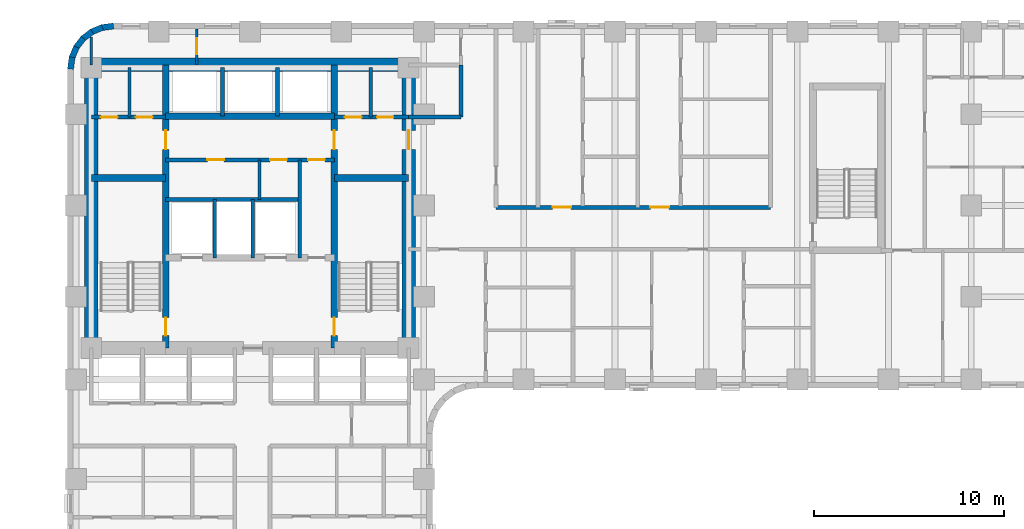
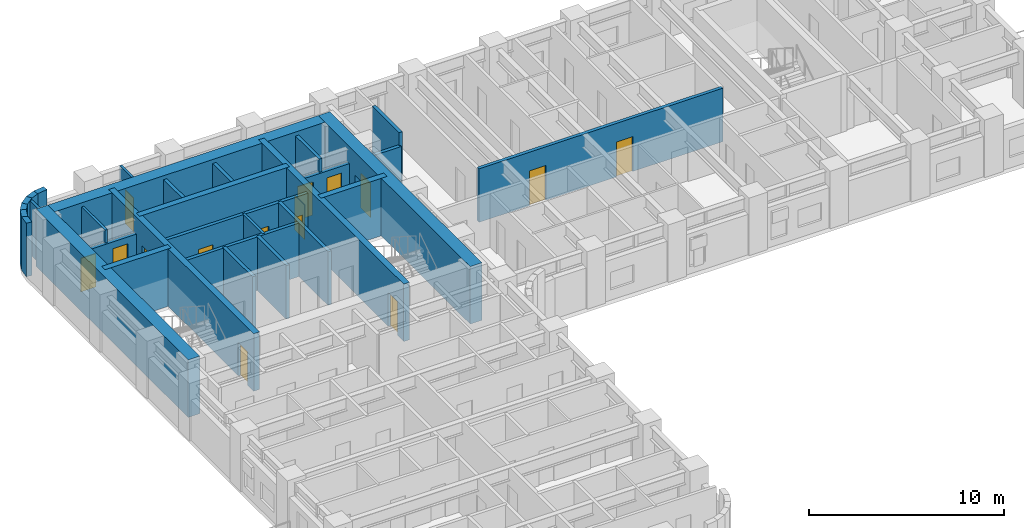
# One storey, part 6 of 10: 31 walls, 15 doors, 15 openings.
"""IFC4 building model written with IfcOpenShell, lengths in metres."""

from ifc_helpers import new_model, si_unit, direction, frame, frame_2d, origin, place, context, subcontext, project, spatial, rectangle, extrude, material, layer, layer_set, type_object, element, fill, save


model = new_model("IFC4")

# Units and contexts
model_context = context("Model", 3, precision=1e-05, world=origin(), true_north=direction((0.0, 1.0)))
body_context = subcontext(model_context, "Body", "Model", "MODEL_VIEW")
ifc_project = project(units=[si_unit("LENGTHUNIT", "METRE"), si_unit("AREAUNIT", "SQUARE_METRE"), si_unit("VOLUMEUNIT", "CUBIC_METRE"), si_unit("PLANEANGLEUNIT", "RADIAN"), si_unit("MASSUNIT", "GRAM", prefix="KILO")], contexts=[model_context])

# Site, building, storey
site_placement = place(None, origin())
site = spatial("IfcSite", under=ifc_project, at=site_placement, CompositionType="ELEMENT")
building_placement = place(site_placement, origin())
building = spatial("IfcBuilding", under=site, at=building_placement, Name="Orvandelia Arch Residences", CompositionType="ELEMENT")
storey_placement = place(building_placement, frame((0.0, 0.0, 28.60009765625)))
storey = spatial("IfcBuildingStorey", under=building, at=storey_placement, Name="L06", CompositionType="ELEMENT", Elevation=28.60009765625)

# Wall, openings, doors
ifc_material_1 = material(Name="Concrete C50/60", Category="concrete")
ifc_layer_1 = layer(ifc_material_1, 0.35009765625, Name="Concrete C50/60", Category="concrete")
ifc_layer_set_1 = layer_set([ifc_layer_1], Name="Concrete C50/60")
wall_type_1 = type_object("IfcWallType", Name="WL-CORE-350", PredefinedType="SHEAR", material=ifc_layer_set_1)
wall_1_placement = place(storey_placement, frame((9.9599609375, 30.89990234375, 0.0), z_axis=(0.0, 0.0, 1.0), x_axis=(0.0, 1.0, 0.0)))
wall_1 = element("IfcWall", 1, at=wall_1_placement, inside=storey, type_object=wall_type_1, Name="Core Shear Wall L06-WEB1", PredefinedType="SHEAR", context=body_context, shape_type="SweptSolid", body=[
    extrude(rectangle(XDim=14.900146484375, YDim=0.35009765625, at=frame_2d((7.4501953125, 0.0))), origin(), (0.0, 0.0, 1.0), 3.599853515625),
])
opening_1_placement = place(wall_1_placement, frame((0.64990234375, 0.0, 0.0)))
opening_1 = element("IfcOpeningElement", 2, at=opening_1_placement, cuts=wall_1, Name="Opening D7", PredefinedType="OPENING", context=body_context, shape_type="SweptSolid", body=[
    extrude(rectangle(XDim=0.949951171875, YDim=2.10009765625, at=frame_2d((0.47509765625, 1.050048828125))), frame((0.0, 0.18505859375, 0.0), z_axis=(0.0, -1.0, 0.0), x_axis=(1.0, 0.0, 0.0)), (0.0, 0.0, 1.0), 0.3701171875),
])
opening_2_placement = place(wall_1_placement, frame((10.449951171875, 0.0, 0.0)))
opening_2 = element("IfcOpeningElement", 3, at=opening_2_placement, cuts=wall_1, Name="Opening D6", PredefinedType="OPENING", context=body_context, shape_type="SweptSolid", body=[
    extrude(rectangle(XDim=1.0, YDim=2.14990234375, at=frame_2d((0.5, 1.074951171875))), frame((0.0, 0.18505859375, 0.0), z_axis=(0.0, -1.0, 0.0), x_axis=(1.0, 0.0, 0.0)), (0.0, 0.0, 1.0), 0.3701171875),
])
ifc_material_2 = material(Name="Smokeproof Painted Steel Fire Door", Category="steel")
door_type_1 = type_object("IfcDoorType", Name="DR-FD60-1000", OperationType="NOTDEFINED", PredefinedType="DOOR", material=ifc_material_2)
door_1_placement = place(opening_2_placement, origin())
door_1 = element("IfcDoor", 4, at=door_1_placement, inside=storey, type_object=door_type_1, Name="High-Rise Lift Hall West Vestibule Door L06", OperationType="SINGLE_SWING_LEFT", OverallHeight=2.14990234375, OverallWidth=1.0, PredefinedType="DOOR", context=body_context, shape_type="SweptSolid", body=[
    extrude(rectangle(XDim=1.0, YDim=2.14990234375, at=frame_2d((0.5, 1.074951171875))), frame((0.0, 0.02490234375, 0.0), z_axis=(0.0, -1.0, 0.0), x_axis=(1.0, 0.0, 0.0)), (0.0, 0.0, 1.0), 0.050048828125),
])
fill(opening_2, door_1)
ifc_material_3 = material(Name="Pressurised Stairwell Fire Door")
door_type_2 = type_object("IfcDoorType", Name="DR-STAIR-950", OperationType="NOTDEFINED", PredefinedType="DOOR", material=ifc_material_3)
door_2_placement = place(opening_1_placement, origin())
door_2 = element("IfcDoor", 5, at=door_2_placement, inside=storey, type_object=door_type_2, Name="Stairwell ST-1 Fire Door L06", OperationType="SINGLE_SWING_LEFT", OverallHeight=2.10009765625, OverallWidth=0.949951171875, PredefinedType="DOOR", context=body_context, shape_type="SweptSolid", body=[
    extrude(rectangle(XDim=0.949951171875, YDim=2.10009765625, at=frame_2d((0.47509765625, 1.050048828125))), frame((0.0, 0.02490234375, 0.0), z_axis=(0.0, -1.0, 0.0), x_axis=(1.0, 0.0, 0.0)), (0.0, 0.0, 1.0), 0.050048828125),
])
fill(opening_1, door_2)

wall_2_placement = place(storey_placement, frame((18.840087890625, 30.89990234375, 0.0), z_axis=(0.0, 0.0, 1.0), x_axis=(0.0, 1.0, 0.0)))
wall_2 = element("IfcWall", 6, at=wall_2_placement, inside=storey, type_object=wall_type_1, Name="Core Shear Wall L06-WEB2", PredefinedType="SHEAR", context=body_context, shape_type="SweptSolid", body=[
    extrude(rectangle(XDim=14.900146484375, YDim=0.35009765625, at=frame_2d((7.4501953125, 0.0))), origin(), (0.0, 0.0, 1.0), 3.599853515625),
])
opening_3_placement = place(wall_2_placement, frame((0.64990234375, 0.0, 0.0)))
opening_3 = element("IfcOpeningElement", 7, at=opening_3_placement, cuts=wall_2, Name="Opening D7", PredefinedType="OPENING", context=body_context, shape_type="SweptSolid", body=[
    extrude(rectangle(XDim=0.949951171875, YDim=2.10009765625, at=frame_2d((0.47509765625, 1.050048828125))), frame((0.0, 0.18505859375, 0.0), z_axis=(0.0, -1.0, 0.0), x_axis=(1.0, 0.0, 0.0)), (0.0, 0.0, 1.0), 0.3701171875),
])
opening_4_placement = place(wall_2_placement, frame((10.449951171875, 0.0, 0.0)))
opening_4 = element("IfcOpeningElement", 8, at=opening_4_placement, cuts=wall_2, Name="Opening D6", PredefinedType="OPENING", context=body_context, shape_type="SweptSolid", body=[
    extrude(rectangle(XDim=1.0, YDim=2.14990234375, at=frame_2d((0.5, 1.074951171875))), frame((0.0, 0.18505859375, 0.0), z_axis=(0.0, -1.0, 0.0), x_axis=(1.0, 0.0, 0.0)), (0.0, 0.0, 1.0), 0.3701171875),
])
door_3_placement = place(opening_4_placement, origin())
door_3 = element("IfcDoor", 9, at=door_3_placement, inside=storey, type_object=door_type_1, Name="High-Rise Lift Hall East Vestibule Door L06", OperationType="SINGLE_SWING_RIGHT", OverallHeight=2.14990234375, OverallWidth=1.0, PredefinedType="DOOR", context=body_context, shape_type="SweptSolid", body=[
    extrude(rectangle(XDim=1.0, YDim=2.14990234375, at=frame_2d((0.5, 1.074951171875))), frame((0.0, 0.02490234375, 0.0), z_axis=(0.0, -1.0, 0.0), x_axis=(1.0, 0.0, 0.0)), (0.0, 0.0, 1.0), 0.050048828125),
])
fill(opening_4, door_3)
door_4_placement = place(opening_3_placement, origin())
door_4 = element("IfcDoor", 10, at=door_4_placement, inside=storey, type_object=door_type_2, Name="Stairwell ST-2 Fire Door L06", OperationType="SINGLE_SWING_RIGHT", OverallHeight=2.10009765625, OverallWidth=0.949951171875, PredefinedType="DOOR", context=body_context, shape_type="SweptSolid", body=[
    extrude(rectangle(XDim=0.949951171875, YDim=2.10009765625, at=frame_2d((0.47509765625, 1.050048828125))), frame((0.0, 0.02490234375, 0.0), z_axis=(0.0, -1.0, 0.0), x_axis=(1.0, 0.0, 0.0)), (0.0, 0.0, 1.0), 0.050048828125),
])
fill(opening_3, door_4)

# Walls
for number, where, z_axis, x_axis, name in (
    (11, (6.050048828125, 39.85009765625, 0.0), (0.0, 0.0, 1.0), (1.0, 0.0, 0.0), "Core Shear Wall L06-HZ1"),
    (12, (18.840087890625, 39.85009765625, 0.0), (0.0, 0.0, 1.0), (1.0, 0.0, 0.0), "Core Shear Wall L06-HZ2"),
):
    element("IfcWall", number, at=place(storey_placement, frame(where, z_axis=z_axis, x_axis=x_axis)), inside=storey, type_object=wall_type_1, Name=name, PredefinedType="SHEAR", context=body_context, shape_type="SweptSolid", body=[
        extrude(rectangle(XDim=3.909912109375, YDim=0.35009765625, at=frame_2d((1.955078125, 0.0))), origin(), (0.0, 0.0, 1.0), 3.599853515625),
    ])
wall_3_placement = place(storey_placement, frame((9.9599609375, 43.10009765625, 0.0), z_axis=(0.0, 0.0, 1.0), x_axis=(1.0, 0.0, 0.0)))
element("IfcWall", 13, at=wall_3_placement, inside=storey, type_object=wall_type_1, Name="Core Shear Wall L06-HZ4", PredefinedType="SHEAR", context=body_context, shape_type="SweptSolid", body=[
    extrude(rectangle(XDim=8.880126953125, YDim=0.35009765625, at=frame_2d((4.43994140625, 0.0))), origin(), (0.0, 0.0, 1.0), 3.599853515625),
])
ifc_material_4 = material(Name="Concrete C80/95", Category="concrete")
ifc_layer_2 = layer(ifc_material_4, 0.699951171875, Name="Concrete C80/95", Category="concrete")
ifc_layer_set_2 = layer_set([ifc_layer_2], Name="Concrete C80/95")
wall_type_2 = type_object("IfcWallType", Name="WL-CORE-700", PredefinedType="SHEAR", material=ifc_layer_set_2)
wall_4_placement = place(storey_placement, frame((6.050048828125, 30.550048828125, 0.0), z_axis=(0.0, 0.0, 1.0), x_axis=(0.0, 1.0, 0.0)))
element("IfcWall", 14, at=wall_4_placement, inside=storey, type_object=wall_type_2, Name="Core Shear Wall L06-W", PredefinedType="SHEAR", context=body_context, shape_type="SweptSolid", body=[
    extrude(rectangle(XDim=15.599853515625, YDim=0.699951171875, at=frame_2d((7.7998046875, 0.0))), origin(), (0.0, 0.0, 1.0), 3.599853515625),
])

# Wall, opening, door
wall_5_placement = place(storey_placement, frame((22.75, 30.550048828125, 0.0), z_axis=(0.0, 0.0, 1.0), x_axis=(0.0, 1.0, 0.0)))
wall_5 = element("IfcWall", 15, at=wall_5_placement, inside=storey, type_object=wall_type_2, Name="Core Shear Wall L06-E", PredefinedType="SHEAR", context=body_context, shape_type="SweptSolid", body=[
    extrude(rectangle(XDim=15.599853515625, YDim=0.699951171875, at=frame_2d((7.7998046875, 0.0))), origin(), (0.0, 0.0, 1.0), 3.599853515625),
])
opening_5_placement = place(wall_5_placement, frame((10.800048828125, 0.0, 0.0)))
opening_5 = element("IfcOpeningElement", 16, at=opening_5_placement, cuts=wall_5, Name="Opening D6", PredefinedType="OPENING", context=body_context, shape_type="SweptSolid", body=[
    extrude(rectangle(XDim=1.0, YDim=2.14990234375, at=frame_2d((0.5, 1.074951171875))), frame((0.0, 0.35986328125, 0.0), z_axis=(0.0, -1.0, 0.0), x_axis=(1.0, 0.0, 0.0)), (0.0, 0.0, 1.0), 0.719970703125),
])
door_5_placement = place(opening_5_placement, origin())
door_5 = element("IfcDoor", 17, at=door_5_placement, inside=storey, type_object=door_type_1, Name="Core East Corridor Link Door L06", OperationType="SINGLE_SWING_LEFT", OverallHeight=2.14990234375, OverallWidth=1.0, PredefinedType="DOOR", context=body_context, shape_type="SweptSolid", body=[
    extrude(rectangle(XDim=1.0, YDim=2.14990234375, at=frame_2d((0.5, 1.074951171875))), frame((0.0, 0.02490234375, 0.0), z_axis=(0.0, -1.0, 0.0), x_axis=(1.0, 0.0, 0.0)), (0.0, 0.0, 1.0), 0.050048828125),
])
fill(opening_5, door_5)

# Wall
wall_6_placement = place(storey_placement, frame((6.050048828125, 45.800048828125, 0.0), z_axis=(0.0, 0.0, 1.0), x_axis=(1.0, 0.0, 0.0)))
element("IfcWall", 18, at=wall_6_placement, inside=storey, type_object=wall_type_2, Name="Core Shear Wall L06-N", PredefinedType="SHEAR", context=body_context, shape_type="SweptSolid", body=[
    extrude(rectangle(XDim=16.699951171875, YDim=0.699951171875, at=frame_2d((8.35009765625, 0.0))), origin(), (0.0, 0.0, 1.0), 3.599853515625),
])

# Wall, openings, doors
ifc_material_5 = material(Name="Fire-Rated Corridor Partition")
ifc_layer_3 = layer(ifc_material_5, 0.199951171875, Name="Fire-Rated Corridor Partition")
ifc_layer_set_3 = layer_set([ifc_layer_3], Name="Fire-Rated Corridor Partition")
wall_type_3 = type_object("IfcWallType", Name="WL-CORR-200", PredefinedType="PARTITIONING", material=ifc_layer_set_3)
wall_7_placement = place(storey_placement, frame((27.35009765625, 38.300048828125, 0.0), z_axis=(0.0, 0.0, 1.0), x_axis=(1.0, 0.0, 0.0)))
wall_7 = element("IfcWall", 19, at=wall_7_placement, inside=storey, type_object=wall_type_3, Name="Interior Partition Wall WL-L06-EM-N", PredefinedType="PARTITIONING", context=body_context, shape_type="SweptSolid", body=[
    extrude(rectangle(XDim=14.429931640625, YDim=0.199951171875, at=frame_2d((7.21484375, 0.0))), origin(), (0.0, 0.0, 1.0), 3.349853515625),
])
opening_6_placement = place(wall_7_placement, frame((2.969970703125, 0.0, 0.0)))
opening_6 = element("IfcOpeningElement", 20, at=opening_6_placement, cuts=wall_7, Name="Opening D1", PredefinedType="OPENING", context=body_context, shape_type="SweptSolid", body=[
    extrude(rectangle(XDim=0.97998046875, YDim=2.179931640625, at=frame_2d((0.489990234375, 1.08984375))), frame((0.0, 0.10986328125, 0.0), z_axis=(0.0, -1.0, 0.0), x_axis=(1.0, 0.0, 0.0)), (0.0, 0.0, 1.0), 0.219970703125),
])
opening_7_placement = place(wall_7_placement, frame((8.1201171875, 0.0, 0.0)))
opening_7 = element("IfcOpeningElement", 21, at=opening_7_placement, cuts=wall_7, Name="Opening D1", PredefinedType="OPENING", context=body_context, shape_type="SweptSolid", body=[
    extrude(rectangle(XDim=0.97998046875, YDim=2.179931640625, at=frame_2d((0.489990234375, 1.08984375))), frame((0.0, 0.10986328125, 0.0), z_axis=(0.0, -1.0, 0.0), x_axis=(1.0, 0.0, 0.0)), (0.0, 0.0, 1.0), 0.219970703125),
])
ifc_material_6 = material(Name="Solid-Core Timber Acoustic Fire Door", Category="wood")
door_type_3 = type_object("IfcDoorType", Name="DR-ENT-980", OperationType="NOTDEFINED", PredefinedType="DOOR", material=ifc_material_6)
door_6_placement = place(opening_6_placement, origin())
door_6 = element("IfcDoor", 22, at=door_6_placement, inside=storey, type_object=door_type_3, Name="Unit L06-09 Entrance Door", OperationType="SINGLE_SWING_LEFT", OverallHeight=2.179931640625, OverallWidth=0.97998046875, PredefinedType="DOOR", context=body_context, shape_type="SweptSolid", body=[
    extrude(rectangle(XDim=0.97998046875, YDim=2.179931640625, at=frame_2d((0.489990234375, 1.08984375))), frame((0.0, 0.02490234375, 0.0), z_axis=(0.0, -1.0, 0.0), x_axis=(1.0, 0.0, 0.0)), (0.0, 0.0, 1.0), 0.050048828125),
])
fill(opening_6, door_6)
door_7_placement = place(opening_7_placement, origin())
door_7 = element("IfcDoor", 23, at=door_7_placement, inside=storey, type_object=door_type_3, Name="Unit L06-10 Entrance Door", OperationType="SINGLE_SWING_RIGHT", OverallHeight=2.179931640625, OverallWidth=0.97998046875, PredefinedType="DOOR", context=body_context, shape_type="SweptSolid", body=[
    extrude(rectangle(XDim=0.97998046875, YDim=2.179931640625, at=frame_2d((0.489990234375, 1.08984375))), frame((0.0, 0.02490234375, 0.0), z_axis=(0.0, -1.0, 0.0), x_axis=(1.0, 0.0, 0.0)), (0.0, 0.0, 1.0), 0.050048828125),
])
fill(opening_7, door_7)

# Walls
wall_8_placement = place(storey_placement, frame((22.75, 43.050048828125, 0.0), z_axis=(0.0, 0.0, 1.0), x_axis=(1.0, 0.0, 0.0)))
element("IfcWall", 24, at=wall_8_placement, inside=storey, type_object=wall_type_3, Name="Interior Partition Wall WL-L06-EM-LS", PredefinedType="PARTITIONING", context=body_context, shape_type="SweptSolid", body=[
    extrude(rectangle(XDim=2.75, YDim=0.199951171875, at=frame_2d((1.375, 0.0))), origin(), (0.0, 0.0, 1.0), 2.52978515625),
])
wall_9_placement = place(storey_placement, frame((25.5, 43.050048828125, 0.0), z_axis=(0.0, 0.0, 1.0), x_axis=(0.0, 1.0, 0.0)))
element("IfcWall", 25, at=wall_9_placement, inside=storey, type_object=wall_type_3, Name="Interior Partition Wall WL-L06-EM-LW2", PredefinedType="PARTITIONING", context=body_context, shape_type="SweptSolid", body=[
    extrude(rectangle(XDim=2.75, YDim=0.199951171875, at=frame_2d((1.375, 0.0))), origin(), (0.0, 0.0, 1.0), 3.349853515625),
])
ifc_material_7 = material(Name="Precast concrete C40/50", Category="concrete")
ifc_layer_4 = layer(ifc_material_7, 0.320068359375, Name="Precast concrete C40/50", Category="concrete")
ifc_layer_set_4 = layer_set([ifc_layer_4], Name="Precast concrete C40/50")
wall_type_4 = type_object("IfcWallType", Name="WL-EXT-STONE-320", PredefinedType="STANDARD", material=ifc_layer_set_4)
for number, where, z_axis, x_axis, name in (
    (26, (4.95849609375, 45.5791015625, 0.0), (0.0, 0.0, 1.0), (0.130555323746, 0.9914410257, 0.0), "Coral-Limestone Precast Facade Wall L06-001"),
    (27, (5.029541015625, 46.159912109375, 0.0), (0.0, 0.0, 1.0), (0.382650053678, 0.92389335771, 0.0), "Coral-Limestone Precast Facade Wall L06-002"),
):
    element("IfcWall", number, at=place(storey_placement, frame(where, z_axis=z_axis, x_axis=x_axis)), inside=storey, type_object=wall_type_4, Name=name, PredefinedType="STANDARD", context=body_context, shape_type="SweptSolid", body=[
        extrude(rectangle(XDim=0.62646484375, YDim=0.320068359375, at=frame_2d((0.313232421875, 0.0))), origin(), (0.0, 0.0, 1.0), 3.349853515625),
    ])
wall_10_placement = place(storey_placement, frame((5.248291015625, 46.70263671875, 0.0), z_axis=(0.0, 0.0, 1.0), x_axis=(0.608938521285, 0.7932174212, 0.0)))
element("IfcWall", 28, at=wall_10_placement, inside=storey, type_object=wall_type_4, Name="Coral-Limestone Precast Facade Wall L06-003", PredefinedType="STANDARD", context=body_context, shape_type="SweptSolid", body=[
    extrude(rectangle(XDim=0.626708984375, YDim=0.320068359375, at=frame_2d((0.3134765625, 0.0))), origin(), (0.0, 0.0, 1.0), 3.349853515625),
])
wall_11_placement = place(storey_placement, frame((5.600341796875, 47.170166015625, 0.0), z_axis=(0.0, 0.0, 1.0), x_axis=(0.793405610854, 0.608693302629, 0.0)))
element("IfcWall", 29, at=wall_11_placement, inside=storey, type_object=wall_type_4, Name="Coral-Limestone Precast Facade Wall L06-004", PredefinedType="STANDARD", context=body_context, shape_type="SweptSolid", body=[
    extrude(rectangle(XDim=0.62646484375, YDim=0.320068359375, at=frame_2d((0.313232421875, 0.0))), origin(), (0.0, 0.0, 1.0), 3.349853515625),
])
wall_12_placement = place(storey_placement, frame((6.061279296875, 47.53076171875, 0.0), z_axis=(0.0, 0.0, 1.0), x_axis=(0.923836271867, 0.382787856107, 0.0)))
element("IfcWall", 30, at=wall_12_placement, inside=storey, type_object=wall_type_4, Name="Coral-Limestone Precast Facade Wall L06-005", PredefinedType="STANDARD", context=body_context, shape_type="SweptSolid", body=[
    extrude(rectangle(XDim=0.626220703125, YDim=0.320068359375, at=frame_2d((0.31298828125, 0.0))), origin(), (0.0, 0.0, 1.0), 3.349853515625),
])
wall_13_placement = place(storey_placement, frame((6.599609375, 47.759521484375, 0.0), z_axis=(0.0, 0.0, 1.0), x_axis=(0.991447664465, 0.130504898859, 0.0)))
element("IfcWall", 31, at=wall_13_placement, inside=storey, type_object=wall_type_4, Name="Coral-Limestone Precast Facade Wall L06-006", PredefinedType="STANDARD", context=body_context, shape_type="SweptSolid", body=[
    extrude(rectangle(XDim=0.626708984375, YDim=0.320068359375, at=frame_2d((0.3134765625, 0.0))), origin(), (0.0, 0.0, 1.0), 3.349853515625),
])
ifc_material_8 = material(Name="Acoustic Gypsum Stud Partition")
ifc_layer_5 = layer(ifc_material_8, 0.14990234375, Name="Acoustic Gypsum Stud Partition")
ifc_layer_set_5 = layer_set([ifc_layer_5], Name="Acoustic Gypsum Stud Partition")
wall_type_5 = type_object("IfcWallType", Name="WL-PART-150", PredefinedType="PARTITIONING", material=ifc_layer_set_5)
wall_14_placement = place(storey_placement, frame((8.06005859375, 43.050048828125, 0.0), z_axis=(0.0, 0.0, 1.0), x_axis=(0.0, 1.0, 0.0)))
element("IfcWall", 32, at=wall_14_placement, inside=storey, type_object=wall_type_5, Name="Interior Partition Wall WL-L06-CRELC-M", PredefinedType="PARTITIONING", context=body_context, shape_type="SweptSolid", body=[
    extrude(rectangle(XDim=2.599853515625, YDim=0.14990234375, at=frame_2d((1.2998046875, 0.0))), origin(), (0.0, 0.0, 1.0), 3.349853515625),
])
wall_15_placement = place(storey_placement, frame((14.89990234375, 38.719970703125, 0.0), z_axis=(0.0, 0.0, 1.0), x_axis=(0.0, 1.0, 0.0)))
element("IfcWall", 33, at=wall_15_placement, inside=storey, type_object=wall_type_5, Name="Interior Partition Wall WL-L06-CSA-1", PredefinedType="PARTITIONING", context=body_context, shape_type="SweptSolid", body=[
    extrude(rectangle(XDim=2.080078125, YDim=0.14990234375, at=frame_2d((1.0400390625, 0.0))), origin(), (0.0, 0.0, 1.0), 3.349853515625),
])
wall_16_placement = place(storey_placement, frame((6.050048828125, 45.800048828125, 0.0), z_axis=(0.0, 0.0, 1.0), x_axis=(0.0, 1.0, 0.0)))
element("IfcWall", 34, at=wall_16_placement, inside=storey, type_object=wall_type_5, Name="Interior Partition Wall WL-L06-NC-W6", PredefinedType="PARTITIONING", context=body_context, shape_type="SweptSolid", body=[
    extrude(rectangle(XDim=1.4599609375, YDim=0.14990234375, at=frame_2d((0.72998046875, 0.0))), origin(), (0.0, 0.0, 1.0), 3.349853515625),
])

# Wall, opening, door
wall_17_placement = place(storey_placement, frame((11.60009765625, 45.800048828125, 0.0), z_axis=(0.0, 0.0, 1.0), x_axis=(0.0, 1.0, 0.0)))
wall_17 = element("IfcWall", 35, at=wall_17_placement, inside=storey, type_object=wall_type_5, Name="Interior Partition Wall WL-L06-NC-M", PredefinedType="PARTITIONING", context=body_context, shape_type="SweptSolid", body=[
    extrude(rectangle(XDim=1.8798828125, YDim=0.14990234375, at=frame_2d((0.93994140625, 0.0))), origin(), (0.0, 0.0, 1.0), 3.349853515625),
])
opening_8_placement = place(wall_17_placement, frame((0.550048828125, 0.0, 0.0)))
opening_8 = element("IfcOpeningElement", 36, at=opening_8_placement, cuts=wall_17, Name="Opening D4", PredefinedType="OPENING", context=body_context, shape_type="SweptSolid", body=[
    extrude(rectangle(XDim=0.860107421875, YDim=2.10009765625, at=frame_2d((0.43017578125, 1.050048828125))), frame((0.0, 0.0849609375, 0.0), z_axis=(0.0, -1.0, 0.0), x_axis=(1.0, 0.0, 0.0)), (0.0, 0.0, 1.0), 0.169921875),
])
ifc_material_9 = material(Name="Moisture-Sealed Timber Bathroom Door", Category="wood")
door_type_4 = type_object("IfcDoorType", Name="DR-WET-900", OperationType="NOTDEFINED", PredefinedType="DOOR", material=ifc_material_9)
door_8_placement = place(opening_8_placement, origin())
door_8 = element("IfcDoor", 37, at=door_8_placement, inside=storey, type_object=door_type_4, Name="DR-L06-NCS1", OperationType="SINGLE_SWING_LEFT", OverallHeight=2.10009765625, OverallWidth=0.860107421875, PredefinedType="DOOR", context=body_context, shape_type="SweptSolid", body=[
    extrude(rectangle(XDim=0.860107421875, YDim=2.10009765625, at=frame_2d((0.43017578125, 1.050048828125))), frame((0.0, 0.02490234375, 0.0), z_axis=(0.0, -1.0, 0.0), x_axis=(1.0, 0.0, 0.0)), (0.0, 0.0, 1.0), 0.050048828125),
])
fill(opening_8, door_8)

# Walls
ifc_material_10 = material(Name="Fire-Rated Shaft Enclosure Wall")
ifc_layer_6 = layer(ifc_material_10, 0.199951171875, Name="Fire-Rated Shaft Enclosure Wall")
ifc_layer_set_6 = layer_set([ifc_layer_6], Name="Fire-Rated Shaft Enclosure Wall")
wall_type_6 = type_object("IfcWallType", Name="WL-SHAFT-200", PredefinedType="POLYGONAL", material=ifc_layer_set_6)
wall_18_placement = place(storey_placement, frame((9.9599609375, 38.719970703125, 0.0), z_axis=(0.0, 0.0, 1.0), x_axis=(1.0, 0.0, 0.0)))
element("IfcWall", 38, at=wall_18_placement, inside=storey, type_object=wall_type_6, Name="Interior Partition Wall WL-L06-FLN", PredefinedType="POLYGONAL", context=body_context, shape_type="SweptSolid", body=[
    extrude(rectangle(XDim=7.06005859375, YDim=0.199951171875, at=frame_2d((3.530029296875, 0.0))), origin(), (0.0, 0.0, 1.0), 3.349853515625),
])
for number, where, z_axis, x_axis, name in (
    (39, (12.550048828125, 35.64990234375, 0.0), (0.0, 0.0, 1.0), (0.0, 1.0, 0.0), "Interior Partition Wall WL-L06-FLM1"),
    (40, (14.550048828125, 35.64990234375, 0.0), (0.0, 0.0, 1.0), (0.0, 1.0, 0.0), "Interior Partition Wall WL-L06-FLM2"),
):
    element("IfcWall", number, at=place(storey_placement, frame(where, z_axis=z_axis, x_axis=x_axis)), inside=storey, type_object=wall_type_6, Name=name, PredefinedType="POLYGONAL", context=body_context, shape_type="SweptSolid", body=[
        extrude(rectangle(XDim=3.070068359375, YDim=0.199951171875, at=frame_2d((1.53515625, 0.0))), origin(), (0.0, 0.0, 1.0), 3.349853515625),
    ])
wall_19_placement = place(storey_placement, frame((17.02001953125, 35.64990234375, 0.0), z_axis=(0.0, 0.0, 1.0), x_axis=(0.0, 1.0, 0.0)))
element("IfcWall", 41, at=wall_19_placement, inside=storey, type_object=wall_type_6, Name="Interior Partition Wall WL-L06-FLM3", PredefinedType="POLYGONAL", context=body_context, shape_type="SweptSolid", body=[
    extrude(rectangle(XDim=5.150146484375, YDim=0.199951171875, at=frame_2d((2.5751953125, 0.0))), origin(), (0.0, 0.0, 1.0), 3.349853515625),
])

# Wall, openings, doors
wall_20_placement = place(storey_placement, frame((9.9599609375, 40.800048828125, 0.0), z_axis=(0.0, 0.0, 1.0), x_axis=(1.0, 0.0, 0.0)))
wall_20 = element("IfcWall", 42, at=wall_20_placement, inside=storey, type_object=wall_type_6, Name="Interior Partition Wall WL-L06-HLH-S", PredefinedType="POLYGONAL", context=body_context, shape_type="SweptSolid", body=[
    extrude(rectangle(XDim=8.880126953125, YDim=0.199951171875, at=frame_2d((4.43994140625, 0.0))), origin(), (0.0, 0.0, 1.0), 3.349853515625),
])
opening_9_placement = place(wall_20_placement, frame((7.5, 0.0, 0.0)))
opening_9 = element("IfcOpeningElement", 43, at=opening_9_placement, cuts=wall_20, Name="Opening D5", PredefinedType="OPENING", context=body_context, shape_type="SweptSolid", body=[
    extrude(rectangle(XDim=0.8798828125, YDim=2.10009765625, at=frame_2d((0.43994140625, 1.050048828125))), frame((0.0, 0.10986328125, 0.0), z_axis=(0.0, -1.0, 0.0), x_axis=(1.0, 0.0, 0.0)), (0.0, 0.0, 1.0), 0.219970703125),
])
opening_10_placement = place(wall_20_placement, frame((2.199951171875, 0.0, 0.0)))
opening_10 = element("IfcOpeningElement", 44, at=opening_10_placement, cuts=wall_20, Name="Opening D5", PredefinedType="OPENING", context=body_context, shape_type="SweptSolid", body=[
    extrude(rectangle(XDim=0.8798828125, YDim=2.10009765625, at=frame_2d((0.43994140625, 1.050048828125))), frame((0.0, 0.10986328125, 0.0), z_axis=(0.0, -1.0, 0.0), x_axis=(1.0, 0.0, 0.0)), (0.0, 0.0, 1.0), 0.219970703125),
])
opening_11_placement = place(wall_20_placement, frame((5.5, 0.0, 0.0)))
opening_11 = element("IfcOpeningElement", 45, at=opening_11_placement, cuts=wall_20, Name="Opening D5", PredefinedType="OPENING", context=body_context, shape_type="SweptSolid", body=[
    extrude(rectangle(XDim=0.8798828125, YDim=2.10009765625, at=frame_2d((0.43994140625, 1.050048828125))), frame((0.0, 0.10986328125, 0.0), z_axis=(0.0, -1.0, 0.0), x_axis=(1.0, 0.0, 0.0)), (0.0, 0.0, 1.0), 0.219970703125),
])
ifc_material_11 = material(Name="Painted Galvanised Steel Service Door", Category="steel")
door_type_5 = type_object("IfcDoorType", Name="DR-SRV-880", OperationType="NOTDEFINED", PredefinedType="DOOR", material=ifc_material_11)
door_9_placement = place(opening_9_placement, origin())
door_9 = element("IfcDoor", 46, at=door_9_placement, inside=storey, type_object=door_type_5, Name="Core Stairway Passage North Fire Door L06", OperationType="SINGLE_SWING_RIGHT", OverallHeight=2.10009765625, OverallWidth=0.8798828125, PredefinedType="DOOR", context=body_context, shape_type="SweptSolid", body=[
    extrude(rectangle(XDim=0.8798828125, YDim=2.10009765625, at=frame_2d((0.43994140625, 1.050048828125))), frame((0.0, 0.02490234375, 0.0), z_axis=(0.0, -1.0, 0.0), x_axis=(1.0, 0.0, 0.0)), (0.0, 0.0, 1.0), 0.050048828125),
])
fill(opening_9, door_9)
door_10_placement = place(opening_10_placement, origin())
door_10 = element("IfcDoor", 47, at=door_10_placement, inside=storey, type_object=door_type_5, Name="DR-L06-CSA1", OperationType="SINGLE_SWING_RIGHT", OverallHeight=2.10009765625, OverallWidth=0.8798828125, PredefinedType="DOOR", context=body_context, shape_type="SweptSolid", body=[
    extrude(rectangle(XDim=0.8798828125, YDim=2.10009765625, at=frame_2d((0.43994140625, 1.050048828125))), frame((0.0, 0.02490234375, 0.0), z_axis=(0.0, -1.0, 0.0), x_axis=(1.0, 0.0, 0.0)), (0.0, 0.0, 1.0), 0.050048828125),
])
fill(opening_10, door_10)
door_11_placement = place(opening_11_placement, origin())
door_11 = element("IfcDoor", 48, at=door_11_placement, inside=storey, type_object=door_type_5, Name="DR-L06-CSA2", OperationType="SINGLE_SWING_LEFT", OverallHeight=2.10009765625, OverallWidth=0.8798828125, PredefinedType="DOOR", context=body_context, shape_type="SweptSolid", body=[
    extrude(rectangle(XDim=0.8798828125, YDim=2.10009765625, at=frame_2d((0.43994140625, 1.050048828125))), frame((0.0, 0.02490234375, 0.0), z_axis=(0.0, -1.0, 0.0), x_axis=(1.0, 0.0, 0.0)), (0.0, 0.0, 1.0), 0.050048828125),
])
fill(opening_11, door_11)

wall_21_placement = place(storey_placement, frame((18.840087890625, 43.050048828125, 0.0), z_axis=(0.0, 0.0, 1.0), x_axis=(1.0, 0.0, 0.0)))
wall_21 = element("IfcWall", 49, at=wall_21_placement, inside=storey, type_object=wall_type_6, Name="Interior Partition Wall WL-L06-HLE-N", PredefinedType="POLYGONAL", context=body_context, shape_type="SweptSolid", body=[
    extrude(rectangle(XDim=3.909912109375, YDim=0.199951171875, at=frame_2d((1.955078125, 0.0))), origin(), (0.0, 0.0, 1.0), 2.52978515625),
])
opening_12_placement = place(wall_21_placement, frame((0.550048828125, 0.0, 0.0)))
opening_12 = element("IfcOpeningElement", 50, at=opening_12_placement, cuts=wall_21, Name="Opening D5", PredefinedType="OPENING", context=body_context, shape_type="SweptSolid", body=[
    extrude(rectangle(XDim=0.8798828125, YDim=2.10009765625, at=frame_2d((0.43994140625, 1.050048828125))), frame((0.0, 0.10986328125, 0.0), z_axis=(0.0, -1.0, 0.0), x_axis=(1.0, 0.0, 0.0)), (0.0, 0.0, 1.0), 0.219970703125),
])
opening_13_placement = place(wall_21_placement, frame((2.25, 0.0, 0.0)))
opening_13 = element("IfcOpeningElement", 51, at=opening_13_placement, cuts=wall_21, Name="Opening D4", PredefinedType="OPENING", context=body_context, shape_type="SweptSolid", body=[
    extrude(rectangle(XDim=0.860107421875, YDim=2.10009765625, at=frame_2d((0.43017578125, 1.050048828125))), frame((0.0, 0.10986328125, 0.0), z_axis=(0.0, -1.0, 0.0), x_axis=(1.0, 0.0, 0.0)), (0.0, 0.0, 1.0), 0.219970703125),
])
door_12_placement = place(opening_12_placement, origin())
door_12 = element("IfcDoor", 52, at=door_12_placement, inside=storey, type_object=door_type_5, Name="DR-L06-CSB1", OperationType="SINGLE_SWING_LEFT", OverallHeight=2.10009765625, OverallWidth=0.8798828125, PredefinedType="DOOR", context=body_context, shape_type="SweptSolid", body=[
    extrude(rectangle(XDim=0.8798828125, YDim=2.10009765625, at=frame_2d((0.43994140625, 1.050048828125))), frame((0.0, 0.02490234375, 0.0), z_axis=(0.0, -1.0, 0.0), x_axis=(1.0, 0.0, 0.0)), (0.0, 0.0, 1.0), 0.050048828125),
])
fill(opening_12, door_12)
door_13_placement = place(opening_13_placement, origin())
door_13 = element("IfcDoor", 53, at=door_13_placement, inside=storey, type_object=door_type_4, Name="DR-L06-CSB2", OperationType="SINGLE_SWING_LEFT", OverallHeight=2.10009765625, OverallWidth=0.860107421875, PredefinedType="DOOR", context=body_context, shape_type="SweptSolid", body=[
    extrude(rectangle(XDim=0.860107421875, YDim=2.10009765625, at=frame_2d((0.43017578125, 1.050048828125))), frame((0.0, 0.02490234375, 0.0), z_axis=(0.0, -1.0, 0.0), x_axis=(1.0, 0.0, 0.0)), (0.0, 0.0, 1.0), 0.050048828125),
])
fill(opening_13, door_13)

wall_22_placement = place(storey_placement, frame((6.050048828125, 43.050048828125, 0.0), z_axis=(0.0, 0.0, 1.0), x_axis=(1.0, 0.0, 0.0)))
wall_22 = element("IfcWall", 54, at=wall_22_placement, inside=storey, type_object=wall_type_6, Name="Interior Partition Wall WL-L06-HLW-N", PredefinedType="POLYGONAL", context=body_context, shape_type="SweptSolid", body=[
    extrude(rectangle(XDim=3.909912109375, YDim=0.199951171875, at=frame_2d((1.955078125, 0.0))), origin(), (0.0, 0.0, 1.0), 2.52978515625),
])
opening_14_placement = place(wall_22_placement, frame((0.5, 0.0, 0.0)))
opening_14 = element("IfcOpeningElement", 55, at=opening_14_placement, cuts=wall_22, Name="Opening D5", PredefinedType="OPENING", context=body_context, shape_type="SweptSolid", body=[
    extrude(rectangle(XDim=0.8798828125, YDim=2.10009765625, at=frame_2d((0.43994140625, 1.050048828125))), frame((0.0, 0.10986328125, 0.0), z_axis=(0.0, -1.0, 0.0), x_axis=(1.0, 0.0, 0.0)), (0.0, 0.0, 1.0), 0.219970703125),
])
opening_15_placement = place(wall_22_placement, frame((2.35009765625, 0.0, 0.0)))
opening_15 = element("IfcOpeningElement", 56, at=opening_15_placement, cuts=wall_22, Name="Opening D5", PredefinedType="OPENING", context=body_context, shape_type="SweptSolid", body=[
    extrude(rectangle(XDim=0.8798828125, YDim=2.10009765625, at=frame_2d((0.43994140625, 1.050048828125))), frame((0.0, 0.10986328125, 0.0), z_axis=(0.0, -1.0, 0.0), x_axis=(1.0, 0.0, 0.0)), (0.0, 0.0, 1.0), 0.219970703125),
])
door_14_placement = place(opening_14_placement, origin())
door_14 = element("IfcDoor", 57, at=door_14_placement, inside=storey, type_object=door_type_5, Name="DR-L06-CRELC1", OperationType="SINGLE_SWING_LEFT", OverallHeight=2.10009765625, OverallWidth=0.8798828125, PredefinedType="DOOR", context=body_context, shape_type="SweptSolid", body=[
    extrude(rectangle(XDim=0.8798828125, YDim=2.10009765625, at=frame_2d((0.43994140625, 1.050048828125))), frame((0.0, 0.02490234375, 0.0), z_axis=(0.0, -1.0, 0.0), x_axis=(1.0, 0.0, 0.0)), (0.0, 0.0, 1.0), 0.050048828125),
])
fill(opening_14, door_14)
door_15_placement = place(opening_15_placement, origin())
door_15 = element("IfcDoor", 58, at=door_15_placement, inside=storey, type_object=door_type_5, Name="DR-L06-CRELC2", OperationType="SINGLE_SWING_RIGHT", OverallHeight=2.10009765625, OverallWidth=0.8798828125, PredefinedType="DOOR", context=body_context, shape_type="SweptSolid", body=[
    extrude(rectangle(XDim=0.8798828125, YDim=2.10009765625, at=frame_2d((0.43994140625, 1.050048828125))), frame((0.0, 0.02490234375, 0.0), z_axis=(0.0, -1.0, 0.0), x_axis=(1.0, 0.0, 0.0)), (0.0, 0.0, 1.0), 0.050048828125),
])
fill(opening_15, door_15)

# Walls
for number, where, z_axis, x_axis, name in (
    (59, (12.949951171875, 43.10009765625, 0.0), (0.0, 0.0, 1.0), (0.0, 1.0, 0.0), "Interior Partition Wall WL-L06-PHD1"),
    (60, (15.85009765625, 43.10009765625, 0.0), (0.0, 0.0, 1.0), (0.0, 1.0, 0.0), "Interior Partition Wall WL-L06-PHD2"),
):
    element("IfcWall", number, at=place(storey_placement, frame(where, z_axis=z_axis, x_axis=x_axis)), inside=storey, type_object=wall_type_6, Name=name, PredefinedType="POLYGONAL", context=body_context, shape_type="SweptSolid", body=[
        extrude(rectangle(XDim=2.5498046875, YDim=0.199951171875, at=frame_2d((1.27490234375, 0.0))), origin(), (0.0, 0.0, 1.0), 3.349853515625),
    ])
ifc_material_12 = material(Name="Moisture-Resistant Plumbing Wall")
ifc_layer_7 = layer(ifc_material_12, 0.179931640625, Name="Moisture-Resistant Plumbing Wall")
ifc_layer_set_7 = layer_set([ifc_layer_7], Name="Moisture-Resistant Plumbing Wall")
wall_type_7 = type_object("IfcWallType", Name="WL-WET-180", PredefinedType="PLUMBINGWALL", material=ifc_layer_set_7)
wall_23_placement = place(storey_placement, frame((20.75, 43.050048828125, 0.0), z_axis=(0.0, 0.0, 1.0), x_axis=(0.0, 1.0, 0.0)))
element("IfcWall", 61, at=wall_23_placement, inside=storey, type_object=wall_type_7, Name="Interior Partition Wall WL-L06-CSB-1", PredefinedType="PLUMBINGWALL", context=body_context, shape_type="SweptSolid", body=[
    extrude(rectangle(XDim=2.599853515625, YDim=0.179931640625, at=frame_2d((1.2998046875, 0.0))), origin(), (0.0, 0.0, 1.0), 3.349853515625),
])

save(model, "model.ifc")
